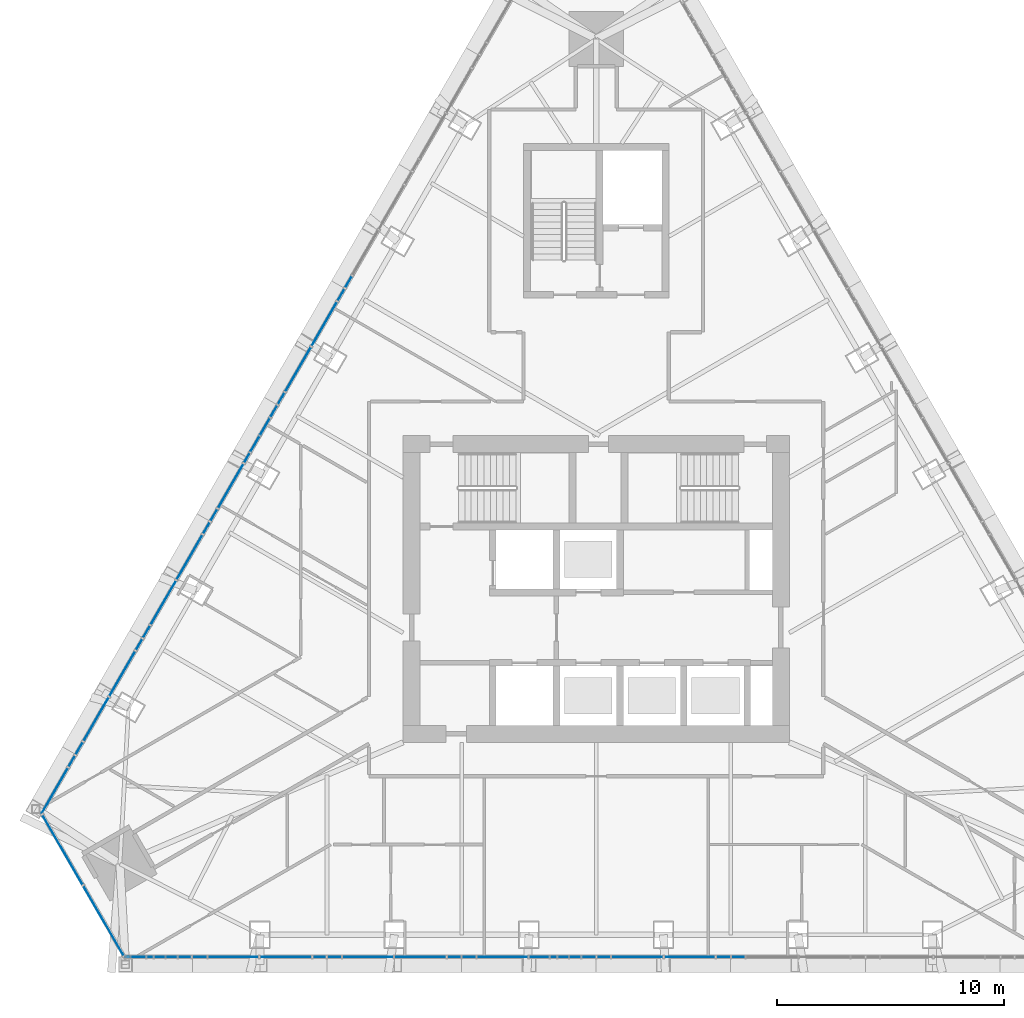
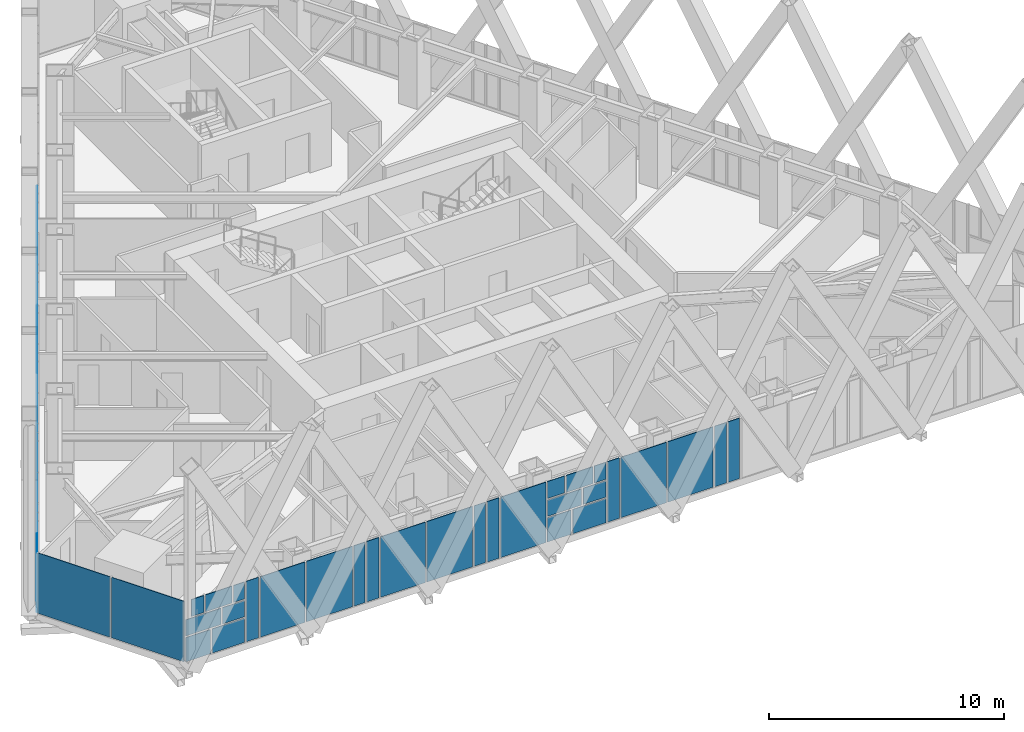
# One storey, part 12 of 23: 53 plates, 3 elements without a shape of their own.
"""IFC4 building model written with IfcOpenShell, lengths in metres."""

from ifc_helpers import new_model, si_unit, direction, frame, origin, place, context, subcontext, project, spatial, polyline, outline, extrude, material, layer, layer_set, type_object, element, aggregate, save


model = new_model("IFC4")

# Units and contexts
model_context = context("Model", 3, precision=1e-05, world=origin(), true_north=direction((0.0, 1.0)))
body_context = subcontext(model_context, "Body", "Model", "MODEL_VIEW")
ifc_project = project(units=[si_unit("LENGTHUNIT", "METRE"), si_unit("AREAUNIT", "SQUARE_METRE"), si_unit("VOLUMEUNIT", "CUBIC_METRE"), si_unit("PLANEANGLEUNIT", "RADIAN"), si_unit("MASSUNIT", "GRAM", prefix="KILO")], contexts=[model_context])

# Site, building, storey
site_placement = place(None, origin())
site = spatial("IfcSite", under=ifc_project, at=site_placement, CompositionType="ELEMENT")
building_placement = place(site_placement, origin())
building = spatial("IfcBuilding", under=site, at=building_placement, Name="Firuza Gate Tower and Library", CompositionType="ELEMENT")
storey_placement = place(building_placement, frame((0.0, 0.0, 312.60009765625)))
storey = spatial("IfcBuildingStorey", under=building, at=storey_placement, Name="L76", CompositionType="ELEMENT", Elevation=312.60009765625)

# Curtain wall, plates
ifc_material_1 = material(Name="Aluminium 6063-T6", Category="aluminium")
ifc_layer_1 = layer(ifc_material_1, 0.14990234375)
ifc_layer_set_1 = layer_set([ifc_layer_1], Name="Corner curtain wall, chamfers")
curtain_wall_type_1 = type_object("IfcCurtainWallType", Name="Corner curtain wall, chamfers", PredefinedType="NOTDEFINED", material=ifc_layer_set_1)
placement = place(storey_placement, origin())
curtain_wall_1 = element("IfcCurtainWall", 1, at=placement, inside=storey, type_object=curtain_wall_type_1, Name="CW4 L76 SW corner", PredefinedType="NOTDEFINED")
ifc_material_2 = material(Name="Fritted glass", Category="glass")
ifc_layer_2 = layer(ifc_material_2, 0.030029296875)
ifc_layer_set_2 = layer_set([ifc_layer_2], Name="Fritted glass unit, corners")
plate_type_1 = type_object("IfcPlateType", Name="Fritted glass unit, corners", PredefinedType="CURTAIN_PANEL", material=ifc_layer_set_2)
plate_1_placement = place(storey_placement, frame((50.600341796875, 65.07373046875, 0.14990234375), z_axis=(-0.866016723041, -0.500015035186, 0.0), x_axis=(0.500015035186, -0.866016723041, 0.0)))
plate_1 = element("IfcPlate", 2, at=plate_1_placement, type_object=plate_type_1, Name="Glass unit", PredefinedType="CURTAIN_PANEL", context=body_context, shape_type="SweptSolid", body=[
    extrude(outline(polyline([(0.0, 0.0), (3.5633694106530625, 0.0), (3.5633694106530625, 3.14990234375), (0.0, 3.14990234375), (0.0, 0.0)])), origin(), (0.0, 0.0, -1.0), 0.030029296875),
])
plate_2_placement = place(storey_placement, frame((52.422119140625, 61.91845703125, 0.14990234375), z_axis=(-0.866046390552, -0.49996364809, 0.0), x_axis=(0.49996364809, -0.866046390552, 0.0)))
plate_2 = element("IfcPlate", 3, at=plate_2_placement, type_object=plate_type_1, Name="Glass unit", PredefinedType="CURTAIN_PANEL", context=body_context, shape_type="SweptSolid", body=[
    extrude(outline(polyline([(0.0, 0.0), (3.563247342942594, 0.0), (3.563247342942594, 3.14990234375), (0.0, 3.14990234375), (0.0, 0.0)])), origin(), (0.0, 0.0, -1.0), 0.030029296875),
])
aggregate(curtain_wall_1, [plate_1, plate_2])

ifc_material_3 = material(Name="Aluminium 6063-T6", Category="aluminium")
ifc_layer_3 = layer(ifc_material_3, 0.14990234375)
ifc_layer_set_3 = layer_set([ifc_layer_3], Name="Unitised curtain wall, residences")
curtain_wall_type_2 = type_object("IfcCurtainWallType", Name="Unitised curtain wall, residences", PredefinedType="NOTDEFINED", material=ifc_layer_set_3)
curtain_wall_2 = element("IfcCurtainWall", 4, at=placement, inside=storey, type_object=curtain_wall_type_2, Name="CW3 L76 S face", PredefinedType="NOTDEFINED")
ifc_material_4 = material(Name="Fritted glass", Category="glass")
ifc_layer_4 = layer(ifc_material_4, 0.030029296875)
ifc_layer_set_4 = layer_set([ifc_layer_4], Name="Fritted glass unit, residences")
plate_type_2 = type_object("IfcPlateType", Name="Fritted glass unit, residences", PredefinedType="CURTAIN_PANEL", material=ifc_layer_set_4)
plate_3_placement = place(storey_placement, frame((55.561767578125, 58.790283203125, 0.14990234375), z_axis=(0.0, -1.0, 0.0), x_axis=(1.0, 0.0, 0.0)))
plate_3 = element("IfcPlate", 5, at=plate_3_placement, type_object=plate_type_2, Name="Glass unit", PredefinedType="CURTAIN_PANEL", context=body_context, shape_type="SweptSolid", body=[
    extrude(outline(polyline([(0.0, 0.0), (1.60107421875, 0.0), (1.60107421875, 1.260009765625), (0.0, 1.260009765625), (0.0, 0.0)])), origin(), (0.0, 0.0, -1.0), 0.030029296875),
])
plate_4_placement = place(storey_placement, frame((56.083251953125, 58.790283203125, 1.489990234375), z_axis=(0.0, -1.0, 0.0), x_axis=(1.0, 0.0, 0.0)))
plate_4 = element("IfcPlate", 6, at=plate_4_placement, type_object=plate_type_2, Name="Glass unit", PredefinedType="CURTAIN_PANEL", context=body_context, shape_type="SweptSolid", body=[
    extrude(outline(polyline([(0.0, 0.0), (1.07958984375, 0.0), (1.07958984375, 0.844970703125), (0.0, 0.844970703125), (0.0, 0.0)])), origin(), (0.0, 0.0, -1.0), 0.030029296875),
])
plate_5_placement = place(storey_placement, frame((54.542724609375, 58.790283203125, 2.414794921875), z_axis=(0.0, -1.0, 0.0), x_axis=(1.0, 0.0, 0.0)))
plate_5 = element("IfcPlate", 7, at=plate_5_placement, type_object=plate_type_2, Name="Glass unit", PredefinedType="CURTAIN_PANEL", context=body_context, shape_type="SweptSolid", body=[
    extrude(outline(polyline([(0.0, 0.0), (0.612060546875, 0.0), (0.612060546875, 0.885009765625), (0.0, 0.885009765625), (0.0, 0.0)])), origin(), (0.0, 0.0, -1.0), 0.030029296875),
])
plate_6_placement = place(storey_placement, frame((56.62744140625, 58.790283203125, 2.414794921875), z_axis=(0.0, -1.0, 0.0), x_axis=(1.0, 0.0, 0.0)))
plate_6 = element("IfcPlate", 8, at=plate_6_placement, type_object=plate_type_2, Name="Glass unit", PredefinedType="CURTAIN_PANEL", context=body_context, shape_type="SweptSolid", body=[
    extrude(outline(polyline([(0.0, 0.0), (0.535400390625, 0.0), (0.535400390625, 0.885009765625), (0.0, 0.885009765625), (0.0, 0.0)])), origin(), (0.0, 0.0, -1.0), 0.030029296875),
])
plate_7_placement = place(storey_placement, frame((57.242919921875, 58.790283203125, 0.14990234375), z_axis=(0.0, -1.0, 0.0), x_axis=(1.0, 0.0, 0.0)))
plate_7 = element("IfcPlate", 9, at=plate_7_placement, type_object=plate_type_2, Name="Glass unit", PredefinedType="CURTAIN_PANEL", context=body_context, shape_type="SweptSolid", body=[
    extrude(outline(polyline([(0.0, 0.0), (0.609619140625, 0.0), (0.609619140625, 3.14990234375), (0.0, 3.14990234375), (0.0, 0.0)])), origin(), (0.0, 0.0, -1.0), 0.030029296875),
])
plate_8_placement = place(storey_placement, frame((62.54736328125, 58.790283203125, 0.14990234375), z_axis=(0.0, -1.0, 0.0), x_axis=(1.0, 0.0, 0.0)))
plate_8 = element("IfcPlate", 10, at=plate_8_placement, type_object=plate_type_2, Name="Glass unit", PredefinedType="CURTAIN_PANEL", context=body_context, shape_type="SweptSolid", body=[
    extrude(outline(polyline([(0.0, 0.0), (0.5478515625, 0.0), (0.5478515625, 3.14990234375), (0.0, 3.14990234375), (0.0, 0.0)])), origin(), (0.0, 0.0, -1.0), 0.030029296875),
])
plate_9_placement = place(storey_placement, frame((63.17529296875, 58.790283203125, 0.14990234375), z_axis=(0.0, -1.0, 0.0), x_axis=(1.0, 0.0, 0.0)))
plate_9 = element("IfcPlate", 11, at=plate_9_placement, type_object=plate_type_2, Name="Glass unit", PredefinedType="CURTAIN_PANEL", context=body_context, shape_type="SweptSolid", body=[
    extrude(outline(polyline([(0.0, 0.0), (0.597412109375, 0.0), (0.597412109375, 3.14990234375), (0.0, 3.14990234375), (0.0, 0.0)])), origin(), (0.0, 0.0, -1.0), 0.030029296875),
])
plate_10_placement = place(storey_placement, frame((68.46728515625, 58.790283203125, 0.14990234375), z_axis=(0.0, -1.0, 0.0), x_axis=(1.0, 0.0, 0.0)))
plate_10 = element("IfcPlate", 12, at=plate_10_placement, type_object=plate_type_2, Name="Glass unit", PredefinedType="CURTAIN_PANEL", context=body_context, shape_type="SweptSolid", body=[
    extrude(outline(polyline([(0.0, 0.0), (0.560302734375, 0.0), (0.560302734375, 3.14990234375), (0.0, 3.14990234375), (0.0, 0.0)])), origin(), (0.0, 0.0, -1.0), 0.030029296875),
])
plate_11_placement = place(storey_placement, frame((69.107666015625, 58.790283203125, 0.14990234375), z_axis=(0.0, -1.0, 0.0), x_axis=(1.0, 0.0, 0.0)))
plate_11 = element("IfcPlate", 13, at=plate_11_placement, type_object=plate_type_2, Name="Glass unit", PredefinedType="CURTAIN_PANEL", context=body_context, shape_type="SweptSolid", body=[
    extrude(outline(polyline([(0.0, 0.0), (0.5849609375, 0.0), (0.5849609375, 3.14990234375), (0.0, 3.14990234375), (0.0, 0.0)])), origin(), (0.0, 0.0, -1.0), 0.030029296875),
])
plate_12_placement = place(storey_placement, frame((73.32177734375, 58.790283203125, 0.14990234375), z_axis=(0.0, -1.0, 0.0), x_axis=(1.0, 0.0, 0.0)))
plate_12 = element("IfcPlate", 14, at=plate_12_placement, type_object=plate_type_2, Name="Glass unit", PredefinedType="CURTAIN_PANEL", context=body_context, shape_type="SweptSolid", body=[
    extrude(outline(polyline([(0.0, 0.0), (1.63818359375, 0.0), (1.63818359375, 1.260009765625), (0.0, 1.260009765625), (0.0, 0.0)])), origin(), (0.0, 0.0, -1.0), 0.030029296875),
])
plate_13_placement = place(storey_placement, frame((73.84326171875, 58.790283203125, 1.489990234375), z_axis=(0.0, -1.0, 0.0), x_axis=(1.0, 0.0, 0.0)))
plate_13 = element("IfcPlate", 15, at=plate_13_placement, type_object=plate_type_2, Name="Glass unit", PredefinedType="CURTAIN_PANEL", context=body_context, shape_type="SweptSolid", body=[
    extrude(outline(polyline([(0.0, 0.0), (1.11669921875, 0.0), (1.11669921875, 0.844970703125), (0.0, 0.844970703125), (0.0, 0.0)])), origin(), (0.0, 0.0, -1.0), 0.030029296875),
])
plate_14_placement = place(storey_placement, frame((72.07373046875, 58.790283203125, 2.414794921875), z_axis=(0.0, -1.0, 0.0), x_axis=(1.0, 0.0, 0.0)))
plate_14 = element("IfcPlate", 16, at=plate_14_placement, type_object=plate_type_2, Name="Glass unit", PredefinedType="CURTAIN_PANEL", context=body_context, shape_type="SweptSolid", body=[
    extrude(outline(polyline([(0.0, 0.0), (0.841064453125, 0.0), (0.841064453125, 0.885009765625), (0.0, 0.885009765625), (0.0, 0.0)])), origin(), (0.0, 0.0, -1.0), 0.030029296875),
])
plate_15_placement = place(storey_placement, frame((74.387451171875, 58.790283203125, 2.414794921875), z_axis=(0.0, -1.0, 0.0), x_axis=(1.0, 0.0, 0.0)))
plate_15 = element("IfcPlate", 17, at=plate_15_placement, type_object=plate_type_2, Name="Glass unit", PredefinedType="CURTAIN_PANEL", context=body_context, shape_type="SweptSolid", body=[
    extrude(outline(polyline([(0.0, 0.0), (0.572509765625, 0.0), (0.572509765625, 0.885009765625), (0.0, 0.885009765625), (0.0, 0.0)])), origin(), (0.0, 0.0, -1.0), 0.030029296875),
])
plate_16_placement = place(storey_placement, frame((75.0400390625, 58.790283203125, 0.14990234375), z_axis=(0.0, -1.0, 0.0), x_axis=(1.0, 0.0, 0.0)))
plate_16 = element("IfcPlate", 18, at=plate_16_placement, type_object=plate_type_2, Name="Glass unit", PredefinedType="CURTAIN_PANEL", context=body_context, shape_type="SweptSolid", body=[
    extrude(outline(polyline([(0.0, 0.0), (0.572509765625, 0.0), (0.572509765625, 3.14990234375), (0.0, 3.14990234375), (0.0, 0.0)])), origin(), (0.0, 0.0, -1.0), 0.030029296875),
])
plate_17_placement = place(storey_placement, frame((80.307373046875, 58.790283203125, 0.14990234375), z_axis=(0.0, -1.0, 0.0), x_axis=(1.0, 0.0, 0.0)))
plate_17 = element("IfcPlate", 19, at=plate_17_placement, type_object=plate_type_2, Name="Glass unit", PredefinedType="CURTAIN_PANEL", context=body_context, shape_type="SweptSolid", body=[
    extrude(outline(polyline([(0.0, 0.0), (0.5849609375, 0.0), (0.5849609375, 3.14990234375), (0.0, 3.14990234375), (0.0, 0.0)])), origin(), (0.0, 0.0, -1.0), 0.030029296875),
])
plate_18_placement = place(storey_placement, frame((80.972412109375, 58.790283203125, 0.14990234375), z_axis=(0.0, -1.0, 0.0), x_axis=(1.0, 0.0, 0.0)))
plate_18 = element("IfcPlate", 20, at=plate_18_placement, type_object=plate_type_2, Name="Glass unit", PredefinedType="CURTAIN_PANEL", context=body_context, shape_type="SweptSolid", body=[
    extrude(outline(polyline([(0.0, 0.0), (0.560302734375, 0.0), (0.560302734375, 3.14990234375), (0.0, 3.14990234375), (0.0, 0.0)])), origin(), (0.0, 0.0, -1.0), 0.030029296875),
])

curtain_wall_3 = element("IfcCurtainWall", 21, at=placement, inside=storey, type_object=curtain_wall_type_2, Name="CW3 L76 W face", PredefinedType="NOTDEFINED")
plate_19_placement = place(storey_placement, frame((64.228271484375, 88.76220703125, 0.14990234375), z_axis=(-0.86606220186, 0.499936258447, 0.0), x_axis=(-0.499936258447, -0.86606220186, 0.0)))
plate_19 = element("IfcPlate", 22, at=plate_19_placement, type_object=plate_type_2, Name="Glass unit", PredefinedType="CURTAIN_PANEL", context=body_context, shape_type="SweptSolid", body=[
    extrude(outline(polyline([(0.0, 0.0), (0.5601300008627605, 0.0), (0.5601300008627605, 3.149902343750001), (0.0, 3.149902343750001), (0.0, 0.0)])), origin(), (0.0, 0.0, -1.0), 0.030029296875),
])
plate_20_placement = place(storey_placement, frame((63.908203125, 88.207763671875, 0.14990234375), z_axis=(-0.866025730634, 0.499999433879, 0.0), x_axis=(-0.499999433879, -0.866025730634, 0.0)))
plate_20 = element("IfcPlate", 23, at=plate_20_placement, type_object=plate_type_2, Name="Glass unit", PredefinedType="CURTAIN_PANEL", context=body_context, shape_type="SweptSolid", body=[
    extrude(outline(polyline([(0.0, 0.0), (0.5849615998176811, 0.0), (0.5849615998176811, 3.149902343750001), (0.0, 3.149902343750001), (0.0, 0.0)])), origin(), (0.0, 0.0, -1.0), 0.030029296875),
])
plate_21_placement = place(storey_placement, frame((61.268310546875, 83.63525390625, 0.14990234375), z_axis=(-0.86613588357, 0.499808594556, 0.0), x_axis=(-0.499808594556, -0.86613588357, 0.0)))
plate_21 = element("IfcPlate", 24, at=plate_21_placement, type_object=plate_type_2, Name="Glass unit", PredefinedType="CURTAIN_PANEL", context=body_context, shape_type="SweptSolid", body=[
    extrude(outline(polyline([(0.0, 0.0), (0.5724847784059417, 0.0), (0.5724847784059417, 3.14990234375), (0.0, 3.14990234375), (0.0, 0.0)])), origin(), (0.0, 0.0, -1.0), 0.030029296875),
])
plate_22_placement = place(storey_placement, frame((60.942138671875, 83.070068359375, 0.14990234375), z_axis=(-0.865985469834, 0.500069161254, 0.0), x_axis=(-0.500069161254, -0.865985469834, 0.0)))
plate_22 = element("IfcPlate", 25, at=plate_22_placement, type_object=plate_type_2, Name="Glass unit", PredefinedType="CURTAIN_PANEL", context=body_context, shape_type="SweptSolid", body=[
    extrude(outline(polyline([(0.0, 0.0), (1.4831932784872106, 0.0), (1.4831932784872106, 1.534912109375), (0.0, 1.534912109375), (0.0, 0.0)])), origin(), (0.0, 0.0, -1.0), 0.030029296875),
])
plate_23_placement = place(storey_placement, frame((60.942138671875, 83.070068359375, 1.764892578125), z_axis=(-0.865951249342, 0.500128417272, 0.0), x_axis=(-0.500128417272, -0.865951249342, 0.0)))
plate_23 = element("IfcPlate", 26, at=plate_23_placement, type_object=plate_type_2, Name="Glass unit", PredefinedType="CURTAIN_PANEL", context=body_context, shape_type="SweptSolid", body=[
    extrude(outline(polyline([(0.0, 0.0), (0.5726068410336176, 0.0), (0.5726068410336176, 1.5349121093750004), (0.0, 1.5349121093750004), (0.0, 0.0)])), origin(), (0.0, 0.0, -1.0), 0.030029296875),
])
plate_24_placement = place(storey_placement, frame((59.736328125, 80.981689453125, 1.764892578125), z_axis=(-0.86608282171, 0.499900536046, 0.0), x_axis=(-0.499900536046, -0.86608282171, 0.0)))
plate_24 = element("IfcPlate", 27, at=plate_24_placement, type_object=plate_type_2, Name="Glass unit", PredefinedType="CURTAIN_PANEL", context=body_context, shape_type="SweptSolid", body=[
    extrude(outline(polyline([(0.0, 0.0), (0.47470380683499147, 0.0), (0.47470380683499147, 1.5349121093750004), (0.0, 1.5349121093750004), (0.0, 0.0)])), origin(), (0.0, 0.0, -1.0), 0.030029296875),
])
plate_25_placement = place(storey_placement, frame((58.308349609375, 78.508544921875, 0.14990234375), z_axis=(-0.866025730634, 0.499999433879, 0.0), x_axis=(-0.499999433879, -0.866025730634, 0.0)))
plate_25 = element("IfcPlate", 28, at=plate_25_placement, type_object=plate_type_2, Name="Glass unit", PredefinedType="CURTAIN_PANEL", context=body_context, shape_type="SweptSolid", body=[
    extrude(outline(polyline([(0.0, 0.0), (0.5849615998176811, 0.0), (0.5849615998176811, 3.149902343750001), (0.0, 3.149902343750001), (0.0, 0.0)])), origin(), (0.0, 0.0, -1.0), 0.030029296875),
])
plate_26_placement = place(storey_placement, frame((57.975830078125, 77.9326171875, 0.14990234375), z_axis=(-0.866171078478, 0.499747599102, 0.0), x_axis=(-0.499747599102, -0.866171078478, 0.0)))
plate_26 = element("IfcPlate", 29, at=plate_26_placement, type_object=plate_type_2, Name="Glass unit", PredefinedType="CURTAIN_PANEL", context=body_context, shape_type="SweptSolid", body=[
    extrude(outline(polyline([(0.0, 0.0), (0.5603414551231225, 0.0), (0.5603414551231225, 3.14990234375), (0.0, 3.14990234375), (0.0, 0.0)])), origin(), (0.0, 0.0, -1.0), 0.030029296875),
])
plate_27_placement = place(storey_placement, frame((55.348388671875, 73.381591796875, 0.14990234375), z_axis=(-0.866097112779, 0.499875775804, 0.0), x_axis=(-0.499875775804, -0.866097112779, 0.0)))
plate_27 = element("IfcPlate", 30, at=plate_27_placement, type_object=plate_type_2, Name="Glass unit", PredefinedType="CURTAIN_PANEL", context=body_context, shape_type="SweptSolid", body=[
    extrude(outline(polyline([(0.0, 0.0), (0.5973163710418148, 0.0), (0.5973163710418148, 3.14990234375), (0.0, 3.14990234375), (0.0, 0.0)])), origin(), (0.0, 0.0, -1.0), 0.030029296875),
])
plate_28_placement = place(storey_placement, frame((55.009765625, 72.794921875, 0.14990234375), z_axis=(-0.865985176339, 0.500069669507, 0.0), x_axis=(-0.500069669507, -0.865985176339, 0.0)))
plate_28 = element("IfcPlate", 31, at=plate_28_placement, type_object=plate_type_2, Name="Glass unit", PredefinedType="CURTAIN_PANEL", context=body_context, shape_type="SweptSolid", body=[
    extrude(outline(polyline([(0.0, 0.0), (0.547775236038534, 0.0), (0.547775236038534, 3.14990234375), (0.0, 3.14990234375), (0.0, 0.0)])), origin(), (0.0, 0.0, -1.0), 0.030029296875),
])
plate_29_placement = place(storey_placement, frame((52.388427734375, 68.254638671875, 0.14990234375), z_axis=(-0.865892059001, 0.500230888849, 0.0), x_axis=(-0.500230888849, -0.865892059001, 0.0)))
plate_29 = element("IfcPlate", 32, at=plate_29_placement, type_object=plate_type_2, Name="Glass unit", PredefinedType="CURTAIN_PANEL", context=body_context, shape_type="SweptSolid", body=[
    extrude(outline(polyline([(0.0, 0.0), (0.6095817899738764, 0.0), (0.6095817899738764, 3.14990234375), (0.0, 3.14990234375), (0.0, 0.0)])), origin(), (0.0, 0.0, -1.0), 0.030029296875),
])
plate_30_placement = place(storey_placement, frame((52.04345703125, 67.657470703125, 0.14990234375), z_axis=(-0.866018596809, 0.500011789842, 0.0), x_axis=(-0.500011789842, -0.866018596809, 0.0)))
plate_30 = element("IfcPlate", 33, at=plate_30_placement, type_object=plate_type_2, Name="Glass unit", PredefinedType="CURTAIN_PANEL", context=body_context, shape_type="SweptSolid", body=[
    extrude(outline(polyline([(0.0, 0.0), (0.5356319012191751, 0.0), (0.5356319012191751, 3.14990234375), (0.0, 3.14990234375), (0.0, 0.0)])), origin(), (0.0, 0.0, -1.0), 0.030029296875),
])

# Plate
ifc_material_5 = material(Name="Glazed ceramic tile")
ifc_layer_5 = layer(ifc_material_5, 0.030029296875)
ifc_layer_set_5 = layer_set([ifc_layer_5], Name="Opaque ceramic panel, residences")
plate_type_3 = type_object("IfcPlateType", Name="Opaque ceramic panel, residences", PredefinedType="CURTAIN_PANEL", material=ifc_layer_set_5)
plate_31_placement = place(storey_placement, frame((54.276611328125, 58.790283203125, 0.14990234375), z_axis=(0.0, -1.0, 0.0), x_axis=(1.0, 0.0, 0.0)))
plate_31 = element("IfcPlate", 34, at=plate_31_placement, type_object=plate_type_3, Name="Opaque ceramic panel", PredefinedType="CURTAIN_PANEL", context=body_context, shape_type="SweptSolid", body=[
    extrude(outline(polyline([(0.0, 0.0), (1.205078125, 0.0), (1.205078125, 1.260009765625), (0.0, 1.260009765625), (0.0, 0.0)])), origin(), (0.0, 0.0, -1.0), 0.030029296875),
])

plate_32_placement = place(storey_placement, frame((54.276611328125, 58.790283203125, 1.489990234375), z_axis=(0.0, -1.0, 0.0), x_axis=(1.0, 0.0, 0.0)))
plate_32 = element("IfcPlate", 35, at=plate_32_placement, type_object=plate_type_3, Name="Opaque ceramic panel", PredefinedType="CURTAIN_PANEL", context=body_context, shape_type="SweptSolid", body=[
    extrude(outline(polyline([(0.0, 0.0), (1.7265625, 0.0), (1.7265625, 0.844970703125), (0.0, 0.844970703125), (0.0, 0.0)])), origin(), (0.0, 0.0, -1.0), 0.030029296875),
])

plate_33_placement = place(storey_placement, frame((55.23486328125, 58.790283203125, 2.414794921875), z_axis=(0.0, -1.0, 0.0), x_axis=(1.0, 0.0, 0.0)))
plate_33 = element("IfcPlate", 36, at=plate_33_placement, type_object=plate_type_3, Name="Opaque ceramic panel", PredefinedType="CURTAIN_PANEL", context=body_context, shape_type="SweptSolid", body=[
    extrude(outline(polyline([(0.0, 0.0), (1.3125, 0.0), (1.3125, 0.885009765625), (0.0, 0.885009765625), (0.0, 0.0)])), origin(), (0.0, 0.0, -1.0), 0.030029296875),
])

plate_34_placement = place(storey_placement, frame((57.9326171875, 58.790283203125, 0.14990234375), z_axis=(0.0, -1.0, 0.0), x_axis=(1.0, 0.0, 0.0)))
plate_34 = element("IfcPlate", 37, at=plate_34_placement, type_object=plate_type_3, Name="Opaque ceramic panel", PredefinedType="CURTAIN_PANEL", context=body_context, shape_type="SweptSolid", body=[
    extrude(outline(polyline([(0.0, 0.0), (2.196533203125, 0.0), (2.196533203125, 3.14990234375), (0.0, 3.14990234375), (0.0, 0.0)])), origin(), (0.0, 0.0, -1.0), 0.030029296875),
])

plate_35_placement = place(storey_placement, frame((60.208984375, 58.790283203125, 0.14990234375), z_axis=(0.0, -1.0, 0.0), x_axis=(1.0, 0.0, 0.0)))
plate_35 = element("IfcPlate", 38, at=plate_35_placement, type_object=plate_type_3, Name="Opaque ceramic panel", PredefinedType="CURTAIN_PANEL", context=body_context, shape_type="SweptSolid", body=[
    extrude(outline(polyline([(0.0, 0.0), (2.25830078125, 0.0), (2.25830078125, 3.14990234375), (0.0, 3.14990234375), (0.0, 0.0)])), origin(), (0.0, 0.0, -1.0), 0.030029296875),
])

plate_36_placement = place(storey_placement, frame((63.8525390625, 58.790283203125, 0.14990234375), z_axis=(0.0, -1.0, 0.0), x_axis=(1.0, 0.0, 0.0)))
plate_36 = element("IfcPlate", 39, at=plate_36_placement, type_object=plate_type_3, Name="Opaque ceramic panel", PredefinedType="CURTAIN_PANEL", context=body_context, shape_type="SweptSolid", body=[
    extrude(outline(polyline([(0.0, 0.0), (2.208984375, 0.0), (2.208984375, 3.14990234375), (0.0, 3.14990234375), (0.0, 0.0)])), origin(), (0.0, 0.0, -1.0), 0.030029296875),
])

plate_37_placement = place(storey_placement, frame((66.141357421875, 58.790283203125, 0.14990234375), z_axis=(0.0, -1.0, 0.0), x_axis=(1.0, 0.0, 0.0)))
plate_37 = element("IfcPlate", 40, at=plate_37_placement, type_object=plate_type_3, Name="Opaque ceramic panel", PredefinedType="CURTAIN_PANEL", context=body_context, shape_type="SweptSolid", body=[
    extrude(outline(polyline([(0.0, 0.0), (2.24609375, 0.0), (2.24609375, 3.14990234375), (0.0, 3.14990234375), (0.0, 0.0)])), origin(), (0.0, 0.0, -1.0), 0.030029296875),
])

plate_38_placement = place(storey_placement, frame((69.772705078125, 58.790283203125, 0.14990234375), z_axis=(0.0, -1.0, 0.0), x_axis=(1.0, 0.0, 0.0)))
plate_38 = element("IfcPlate", 41, at=plate_38_placement, type_object=plate_type_3, Name="Opaque ceramic panel", PredefinedType="CURTAIN_PANEL", context=body_context, shape_type="SweptSolid", body=[
    extrude(outline(polyline([(0.0, 0.0), (2.22119140625, 0.0), (2.22119140625, 3.14990234375), (0.0, 3.14990234375), (0.0, 0.0)])), origin(), (0.0, 0.0, -1.0), 0.030029296875),
])

plate_39_placement = place(storey_placement, frame((72.07373046875, 58.790283203125, 0.14990234375), z_axis=(0.0, -1.0, 0.0), x_axis=(1.0, 0.0, 0.0)))
plate_39 = element("IfcPlate", 42, at=plate_39_placement, type_object=plate_type_3, Name="Opaque ceramic panel", PredefinedType="CURTAIN_PANEL", context=body_context, shape_type="SweptSolid", body=[
    extrude(outline(polyline([(0.0, 0.0), (1.16796875, 0.0), (1.16796875, 1.260009765625), (0.0, 1.260009765625), (0.0, 0.0)])), origin(), (0.0, 0.0, -1.0), 0.030029296875),
])

plate_40_placement = place(storey_placement, frame((72.07373046875, 58.790283203125, 1.489990234375), z_axis=(0.0, -1.0, 0.0), x_axis=(1.0, 0.0, 0.0)))
plate_40 = element("IfcPlate", 43, at=plate_40_placement, type_object=plate_type_3, Name="Opaque ceramic panel", PredefinedType="CURTAIN_PANEL", context=body_context, shape_type="SweptSolid", body=[
    extrude(outline(polyline([(0.0, 0.0), (1.689453125, 0.0), (1.689453125, 0.844970703125), (0.0, 0.844970703125), (0.0, 0.0)])), origin(), (0.0, 0.0, -1.0), 0.030029296875),
])

plate_41_placement = place(storey_placement, frame((72.994873046875, 58.790283203125, 2.414794921875), z_axis=(0.0, -1.0, 0.0), x_axis=(1.0, 0.0, 0.0)))
plate_41 = element("IfcPlate", 44, at=plate_41_placement, type_object=plate_type_3, Name="Opaque ceramic panel", PredefinedType="CURTAIN_PANEL", context=body_context, shape_type="SweptSolid", body=[
    extrude(outline(polyline([(0.0, 0.0), (1.3125, 0.0), (1.3125, 0.885009765625), (0.0, 0.885009765625), (0.0, 0.0)])), origin(), (0.0, 0.0, -1.0), 0.030029296875),
])

plate_42_placement = place(storey_placement, frame((75.692626953125, 58.790283203125, 0.14990234375), z_axis=(0.0, -1.0, 0.0), x_axis=(1.0, 0.0, 0.0)))
plate_42 = element("IfcPlate", 45, at=plate_42_placement, type_object=plate_type_3, Name="Opaque ceramic panel", PredefinedType="CURTAIN_PANEL", context=body_context, shape_type="SweptSolid", body=[
    extrude(outline(polyline([(0.0, 0.0), (2.233642578125, 0.0), (2.233642578125, 3.14990234375), (0.0, 3.14990234375), (0.0, 0.0)])), origin(), (0.0, 0.0, -1.0), 0.030029296875),
])

plate_43_placement = place(storey_placement, frame((78.006103515625, 58.790283203125, 0.14990234375), z_axis=(0.0, -1.0, 0.0), x_axis=(1.0, 0.0, 0.0)))
plate_43 = element("IfcPlate", 46, at=plate_43_placement, type_object=plate_type_3, Name="Opaque ceramic panel", PredefinedType="CURTAIN_PANEL", context=body_context, shape_type="SweptSolid", body=[
    extrude(outline(polyline([(0.0, 0.0), (2.22119140625, 0.0), (2.22119140625, 3.14990234375), (0.0, 3.14990234375), (0.0, 0.0)])), origin(), (0.0, 0.0, -1.0), 0.030029296875),
])

aggregate(curtain_wall_2, [plate_31, plate_3, plate_32, plate_4, plate_5, plate_33, plate_6, plate_7, plate_34, plate_35, plate_8, plate_9, plate_36, plate_37, plate_10, plate_11, plate_38, plate_39, plate_12, plate_40, plate_13, plate_14, plate_41, plate_15, plate_16, plate_42, plate_43, plate_17, plate_18])

plate_44_placement = place(storey_placement, frame((63.57568359375, 87.6318359375, 0.14990234375), z_axis=(-0.866022679971, 0.500004717754, 0.0), x_axis=(-0.500004717754, -0.866022679971, 0.0)))
plate_44 = element("IfcPlate", 47, at=plate_44_placement, type_object=plate_type_3, Name="Opaque ceramic panel", PredefinedType="CURTAIN_PANEL", context=body_context, shape_type="SweptSolid", body=[
    extrude(outline(polyline([(0.0, 0.0), (2.221170448377097, 0.0), (2.221170448377097, 3.14990234375), (0.0, 3.14990234375), (0.0, 0.0)])), origin(), (0.0, 0.0, -1.0), 0.030029296875),
])

plate_45_placement = place(storey_placement, frame((62.425048828125, 85.638916015625, 0.14990234375), z_axis=(-0.866041788654, 0.4999716195, 0.0), x_axis=(-0.4999716195, -0.866041788654, 0.0)))
plate_45 = element("IfcPlate", 48, at=plate_45_placement, type_object=plate_type_3, Name="Opaque ceramic panel", PredefinedType="CURTAIN_PANEL", context=body_context, shape_type="SweptSolid", body=[
    extrude(outline(polyline([(0.0, 0.0), (2.2335252146231643, 0.0), (2.2335252146231643, 3.14990234375), (0.0, 3.14990234375), (0.0, 0.0)])), origin(), (0.0, 0.0, -1.0), 0.030029296875),
])

plate_46_placement = place(storey_placement, frame((60.160400390625, 81.71630859375, 0.14990234375), z_axis=(-0.86606574058, 0.499930128112, 0.0), x_axis=(-0.499930128112, -0.86606574058, 0.0)))
plate_46 = element("IfcPlate", 49, at=plate_46_placement, type_object=plate_type_3, Name="Opaque ceramic panel", PredefinedType="CURTAIN_PANEL", context=body_context, shape_type="SweptSolid", body=[
    extrude(outline(polyline([(0.0, 0.0), (1.3229387787099829, 0.0), (1.3229387787099829, 1.534912109375), (0.0, 1.534912109375), (0.0, 0.0)])), origin(), (0.0, 0.0, -1.0), 0.030029296875),
])

plate_47_placement = place(storey_placement, frame((60.61572265625, 82.5048828125, 1.764892578125), z_axis=(-0.866006401936, 0.500032910722, 0.0), x_axis=(-0.500032910722, -0.866006401936, 0.0)))
plate_47 = element("IfcPlate", 50, at=plate_47_placement, type_object=plate_type_3, Name="Opaque ceramic panel", PredefinedType="CURTAIN_PANEL", context=body_context, shape_type="SweptSolid", body=[
    extrude(outline(polyline([(0.0, 0.0), (1.6790886987076037, 0.0), (1.6790886987076037, 1.534912109375), (0.0, 1.534912109375), (0.0, 0.0)])), origin(), (0.0, 0.0, -1.0), 0.030029296875),
])

plate_48_placement = place(storey_placement, frame((59.458984375, 80.50146484375, 0.14990234375), z_axis=(-0.866022679971, 0.500004717754, 0.0), x_axis=(-0.500004717754, -0.866022679971, 0.0)))
plate_48 = element("IfcPlate", 51, at=plate_48_placement, type_object=plate_type_3, Name="Opaque ceramic panel", PredefinedType="CURTAIN_PANEL", context=body_context, shape_type="SweptSolid", body=[
    extrude(outline(polyline([(0.0, 0.0), (2.221170448377097, 0.0), (2.221170448377097, 3.14990234375), (0.0, 3.14990234375), (0.0, 0.0)])), origin(), (0.0, 0.0, -1.0), 0.030029296875),
])

plate_49_placement = place(storey_placement, frame((57.65576171875, 77.378173828125, 0.14990234375), z_axis=(-0.866013617334, 0.500020414175, 0.0), x_axis=(-0.500020414175, -0.866013617334, 0.0)))
plate_49 = element("IfcPlate", 52, at=plate_49_placement, type_object=plate_type_3, Name="Opaque ceramic panel", PredefinedType="CURTAIN_PANEL", context=body_context, shape_type="SweptSolid", body=[
    extrude(outline(polyline([(0.0, 0.0), (2.246002049440076, 0.0), (2.246002049440076, 3.14990234375), (0.0, 3.14990234375), (0.0, 0.0)])), origin(), (0.0, 0.0, -1.0), 0.030029296875),
])

plate_50_placement = place(storey_placement, frame((56.49267578125, 75.36376953125, 0.14990234375), z_axis=(-0.86605121829, 0.4999552853, 0.0), x_axis=(-0.4999552853, -0.86605121829, 0.0)))
plate_50 = element("IfcPlate", 53, at=plate_50_placement, type_object=plate_type_3, Name="Opaque ceramic panel", PredefinedType="CURTAIN_PANEL", context=body_context, shape_type="SweptSolid", body=[
    extrude(outline(polyline([(0.0, 0.0), (2.208693615895883, 0.0), (2.208693615895883, 3.149902343750001), (0.0, 3.149902343750001), (0.0, 0.0)])), origin(), (0.0, 0.0, -1.0), 0.030029296875),
])

plate_51_placement = place(storey_placement, frame((54.69580078125, 72.251220703125, 0.14990234375), z_axis=(-0.866032566085, 0.499987594326, 0.0), x_axis=(-0.499987594326, -0.866032566085, 0.0)))
plate_51 = element("IfcPlate", 54, at=plate_51_placement, type_object=plate_type_3, Name="Opaque ceramic panel", PredefinedType="CURTAIN_PANEL", context=body_context, shape_type="SweptSolid", body=[
    extrude(outline(polyline([(0.0, 0.0), (2.2583568141274926, 0.0), (2.2583568141274926, 3.14990234375), (0.0, 3.14990234375), (0.0, 0.0)])), origin(), (0.0, 0.0, -1.0), 0.030029296875),
])

plate_52_placement = place(storey_placement, frame((53.526611328125, 70.226318359375, 0.14990234375), z_axis=(-0.866059731463, 0.499940538003, 0.0), x_axis=(-0.499940538003, -0.866059731463, 0.0)))
plate_52 = element("IfcPlate", 55, at=plate_52_placement, type_object=plate_type_3, Name="Opaque ceramic panel", PredefinedType="CURTAIN_PANEL", context=body_context, shape_type="SweptSolid", body=[
    extrude(outline(polyline([(0.0, 0.0), (2.1965502850329526, 0.0), (2.1965502850329526, 3.14990234375), (0.0, 3.14990234375), (0.0, 0.0)])), origin(), (0.0, 0.0, -1.0), 0.030029296875),
])

plate_53_placement = place(storey_placement, frame((51.73583984375, 67.124267578125, 0.14990234375), z_axis=(-0.865977867159, 0.500082326813, 0.0), x_axis=(-0.500082326813, -0.865977867159, 0.0)))
plate_53 = element("IfcPlate", 56, at=plate_53_placement, type_object=plate_type_3, Name="Opaque ceramic panel", PredefinedType="CURTAIN_PANEL", context=body_context, shape_type="SweptSolid", body=[
    extrude(outline(polyline([(0.0, 0.0), (2.2706222275649557, 0.0), (2.2706222275649557, 3.149902343750001), (0.0, 3.149902343750001), (0.0, 0.0)])), origin(), (0.0, 0.0, -1.0), 0.030029296875),
])

aggregate(curtain_wall_3, [plate_19, plate_20, plate_44, plate_45, plate_21, plate_22, plate_46, plate_23, plate_47, plate_24, plate_48, plate_25, plate_26, plate_49, plate_50, plate_27, plate_28, plate_51, plate_52, plate_29, plate_30, plate_53])

save(model, "model.ifc")
